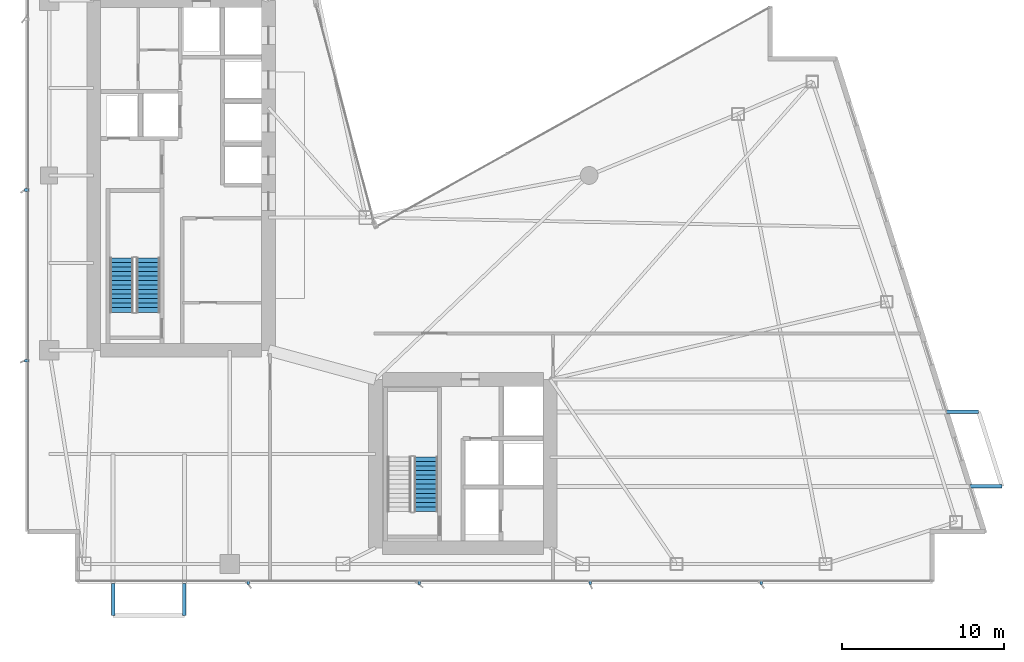
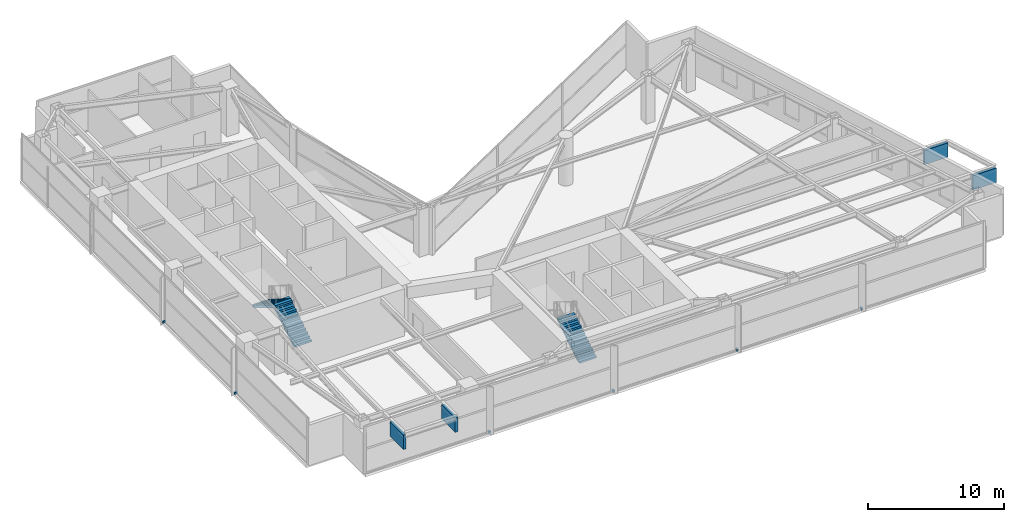
# One storey, part 23 of 26: 10 discrete accessories, 3 stair flights, 2 elements without a shape of their own.
"""IFC4 building model written with IfcOpenShell, lengths in metres."""

from ifc_helpers import new_model, si_unit, direction, frame, origin, origin_2d, place, context, subcontext, project, spatial, polyline, rectangle, outline, extrude, material, type_object, element, aggregate, save


model = new_model("IFC4")

# Units and contexts
model_context = context("Model", 3, precision=1e-05, world=origin(), true_north=direction((0.0, 1.0)))
body_context = subcontext(model_context, "Body", "Model", "MODEL_VIEW")
ifc_project = project(units=[si_unit("LENGTHUNIT", "METRE"), si_unit("AREAUNIT", "SQUARE_METRE"), si_unit("VOLUMEUNIT", "CUBIC_METRE"), si_unit("PLANEANGLEUNIT", "RADIAN"), si_unit("MASSUNIT", "GRAM", prefix="KILO")], contexts=[model_context])

# Site, building, storey
site_placement = place(None, origin())
site = spatial("IfcSite", under=ifc_project, at=site_placement, CompositionType="ELEMENT")
building_placement = place(site_placement, origin())
building = spatial("IfcBuilding", under=site, at=building_placement, Name="Calvorn Quay Hotel", CompositionType="ELEMENT")
storey_placement = place(building_placement, frame((0.0, 0.0, 144.0)))
storey = spatial("IfcBuildingStorey", under=building, at=storey_placement, Name="L35", CompositionType="ELEMENT", Elevation=144.0)

# Stair, stair flights
ifc_material_1 = material(Name="Concrete C40", Category="concrete")
stair_type = type_object("IfcStairType", Name="STR-CORE-DOGLEG", PredefinedType="HALF_TURN_STAIR", material=ifc_material_1)
stair_1_placement = place(storey_placement, origin())
stair_1 = element("IfcStair", 1, at=stair_1_placement, inside=storey, type_object=stair_type, Name="L35 ST-W", PredefinedType="HALF_TURN_STAIR")
ifc_material_2 = material(Name="Concrete C40", Category="concrete")
stair_flight_type = type_object("IfcStairFlightType", Name="FLT-CORE-1550", PredefinedType="STRAIGHT", material=ifc_material_2)
stair_flight_1_placement = place(storey_placement, frame((7.574951171875, 19.14990234375, 0.0), z_axis=(0.0, 0.0, 1.0), x_axis=(0.0, 1.0, 0.0)))
stair_flight_1 = element("IfcStairFlight", 2, at=stair_flight_1_placement, type_object=stair_flight_type, Name="ST-W flight 1", NumberOfRisers=13, NumberOfTreads=12, PredefinedType="STRAIGHT", RiserHeight=0.173076923, TreadLength=0.28, context=body_context, shape_type="SweptSolid", body=[
    extrude(outline(polyline([(0.0, 0.0), (0.0, 0.173095703125), (0.280029296875, 0.173095703125), (0.280029296875, 0.34619140625), (0.56005859375, 0.34619140625), (0.56005859375, 0.519287109375), (0.840087890625, 0.519287109375), (0.840087890625, 0.6923828125), (1.1201171875, 0.6923828125), (1.1201171875, 0.865478515625), (1.39990234375, 0.865478515625), (1.39990234375, 1.03857421875), (1.679931640625, 1.03857421875), (1.679931640625, 1.21142578125), (1.9599609375, 1.21142578125), (1.9599609375, 1.384521484375), (2.239990234375, 1.384521484375), (2.239990234375, 1.5576171875), (2.52001953125, 1.5576171875), (2.52001953125, 1.730712890625), (2.800048828125, 1.730712890625), (2.800048828125, 1.90380859375), (3.080078125, 1.90380859375), (3.080078125, 2.076904296875), (3.360107421875, 2.076904296875), (3.360107421875, 2.25), (3.360107421875, 1.900634765625), (0.28515625, 0.0), (0.0, 0.0)])), frame((0.0, 0.72509765625, 0.0), z_axis=(0.0, -1.0, 0.0), x_axis=(1.0, 0.0, 0.0)), (0.0, 0.0, 1.0), 1.449951171875),
])
stair_flight_2_placement = place(storey_placement, frame((5.925048828125, 22.510009765625, 2.25), z_axis=(0.0, 0.0, 1.0), x_axis=(0.0, -1.0, 0.0)))
stair_flight_2 = element("IfcStairFlight", 3, at=stair_flight_2_placement, type_object=stair_flight_type, Name="ST-W flight 2", NumberOfRisers=13, NumberOfTreads=12, PredefinedType="STRAIGHT", RiserHeight=0.173076923, TreadLength=0.28, context=body_context, shape_type="SweptSolid", body=[
    extrude(outline(polyline([(0.0, 0.0), (0.0, 0.173095703125), (0.280029296875, 0.173095703125), (0.280029296875, 0.34619140625), (0.56005859375, 0.34619140625), (0.56005859375, 0.519287109375), (0.840087890625, 0.519287109375), (0.840087890625, 0.6923828125), (1.1201171875, 0.6923828125), (1.1201171875, 0.865478515625), (1.39990234375, 0.865478515625), (1.39990234375, 1.03857421875), (1.679931640625, 1.03857421875), (1.679931640625, 1.21142578125), (1.9599609375, 1.21142578125), (1.9599609375, 1.384521484375), (2.239990234375, 1.384521484375), (2.239990234375, 1.5576171875), (2.52001953125, 1.5576171875), (2.52001953125, 1.730712890625), (2.800048828125, 1.730712890625), (2.800048828125, 1.90380859375), (3.080078125, 1.90380859375), (3.080078125, 2.076904296875), (3.360107421875, 2.076904296875), (3.360107421875, 2.25), (3.360107421875, 1.900634765625), (0.28515625, 0.0), (0.0, 0.0)])), frame((0.0, 0.72509765625, 0.0), z_axis=(0.0, -1.0, 0.0), x_axis=(1.0, 0.0, 0.0)), (0.0, 0.0, 1.0), 1.449951171875),
])
aggregate(stair_1, [stair_flight_1, stair_flight_2])

# Stair, stair flight
stair_2_placement = place(storey_placement, origin())
stair_2 = element("IfcStair", 4, at=stair_2_placement, inside=storey, type_object=stair_type, Name="L35 ST-E", PredefinedType="HALF_TURN_STAIR")
stair_flight_3_placement = place(storey_placement, frame((24.72509765625, 6.85009765625, 0.0), z_axis=(0.0, 0.0, 1.0), x_axis=(0.0, 1.0, 0.0)))
stair_flight_3 = element("IfcStairFlight", 5, at=stair_flight_3_placement, type_object=stair_flight_type, Name="ST-E flight 1", NumberOfRisers=13, NumberOfTreads=12, PredefinedType="STRAIGHT", RiserHeight=0.173076923, TreadLength=0.28, context=body_context, shape_type="SweptSolid", body=[
    extrude(outline(polyline([(0.0, 0.0), (0.0, 0.173095703125), (0.280029296875, 0.173095703125), (0.280029296875, 0.34619140625), (0.56005859375, 0.34619140625), (0.56005859375, 0.519287109375), (0.840087890625, 0.519287109375), (0.840087890625, 0.6923828125), (1.1201171875, 0.6923828125), (1.1201171875, 0.865478515625), (1.39990234375, 0.865478515625), (1.39990234375, 1.03857421875), (1.679931640625, 1.03857421875), (1.679931640625, 1.21142578125), (1.9599609375, 1.21142578125), (1.9599609375, 1.384521484375), (2.239990234375, 1.384521484375), (2.239990234375, 1.5576171875), (2.52001953125, 1.5576171875), (2.52001953125, 1.730712890625), (2.800048828125, 1.730712890625), (2.800048828125, 1.90380859375), (3.080078125, 1.90380859375), (3.080078125, 2.076904296875), (3.360107421875, 2.076904296875), (3.360107421875, 2.25), (3.360107421875, 1.900634765625), (0.28515625, 0.0), (0.0, 0.0)])), frame((0.0, 0.72509765625, 0.0), z_axis=(0.0, -1.0, 0.0), x_axis=(1.0, 0.0, 0.0)), (0.0, 0.0, 1.0), 1.449951171875),
])
aggregate(stair_2, [stair_flight_3])

# Discrete accessories
ifc_material_3 = material(Name="Steel Q355B", Category="steel")
discrete_accessory_type_1 = type_object("IfcDiscreteAccessoryType", Name="ACC-BALC-STRUT", PredefinedType="BRACKET", material=ifc_material_3)
for number, where, z_axis, x_axis, name in (
    (6, (59.31298828125, 8.39990234375, 2.71484375), (0.0, 0.0, 1.0), (1.0, 0.0, 0.0), "Exterior Balcony Steel Bracket L36-BALC-E-A"),
    (7, (57.863037109375, 13.0, 2.71484375), (0.0, 0.0, 1.0), (1.0, 0.0, 0.0), "Exterior Balcony Steel Bracket L36-BALC-E-B"),
):
    element("IfcDiscreteAccessory", number, at=place(storey_placement, frame(where, z_axis=z_axis, x_axis=x_axis)), inside=storey, type_object=discrete_accessory_type_1, Name=name, PredefinedType="BRACKET", context=body_context, shape_type="SweptSolid", body=[
        extrude(rectangle(XDim=1.989990234375, YDim=0.219970703125, at=origin_2d()), origin(), (0.0, 0.0, 1.0), 1.300048828125),
    ])
for number, where, z_axis, x_axis, name in (
    (8, (5.39990234375, 1.405029296875, 2.71484375), (0.0, 0.0, 1.0), (1.0, 0.0, 0.0), "Exterior Balcony Steel Bracket L36-BALC-S-A"),
    (9, (9.800048828125, 1.405029296875, 2.71484375), (0.0, 0.0, 1.0), (1.0, 0.0, 0.0), "Exterior Balcony Steel Bracket L36-BALC-S-B"),
):
    element("IfcDiscreteAccessory", number, at=place(storey_placement, frame(where, z_axis=z_axis, x_axis=x_axis)), inside=storey, type_object=discrete_accessory_type_1, Name=name, PredefinedType="BRACKET", context=body_context, shape_type="SweptSolid", body=[
        extrude(rectangle(XDim=0.219970703125, YDim=1.989990234375, at=origin_2d()), origin(), (0.0, 0.0, 1.0), 1.300048828125),
    ])
ifc_material_4 = material(Name="Steel Q355B", Category="steel")
discrete_accessory_type_2 = type_object("IfcDiscreteAccessoryType", Name="ACC-FIN-BRACKET", PredefinedType="BRACKET", material=ifc_material_4)
for number, where, z_axis, x_axis, name in (
    (10, (0.06005859375, 16.14990234375, 0.0302734375), (0.0, 0.0, 1.0), (1.0, 0.0, 0.0), "Fin Anchor Bracket L35-W01"),
    (11, (0.06005859375, 26.699951171875, 0.0302734375), (0.0, 0.0, 1.0), (1.0, 0.0, 0.0), "Fin Anchor Bracket L35-W02"),
    (12, (13.760009765625, 2.4599609375, 0.0302734375), (0.0, 0.0, 1.0), (0.0, 1.0, 0.0), "Fin Anchor Bracket L35-S01"),
    (13, (24.320068359375, 2.4599609375, 0.0302734375), (0.0, 0.0, 1.0), (0.0, 1.0, 0.0), "Fin Anchor Bracket L35-S02"),
    (14, (34.8798828125, 2.4599609375, 0.0302734375), (0.0, 0.0, 1.0), (0.0, 1.0, 0.0), "Fin Anchor Bracket L35-S03"),
    (15, (45.43994140625, 2.4599609375, 0.0302734375), (0.0, 0.0, 1.0), (0.0, 1.0, 0.0), "Fin Anchor Bracket L35-S04"),
):
    element("IfcDiscreteAccessory", number, at=place(storey_placement, frame(where, z_axis=z_axis, x_axis=x_axis)), inside=storey, type_object=discrete_accessory_type_2, Name=name, PredefinedType="BRACKET", context=body_context, shape_type="SweptSolid", body=[
        extrude(rectangle(XDim=0.239990234375, YDim=0.159912109375, at=origin_2d()), origin(), (0.0, 0.0, 1.0), 0.179931640625),
    ])

save(model, "model.ifc")
